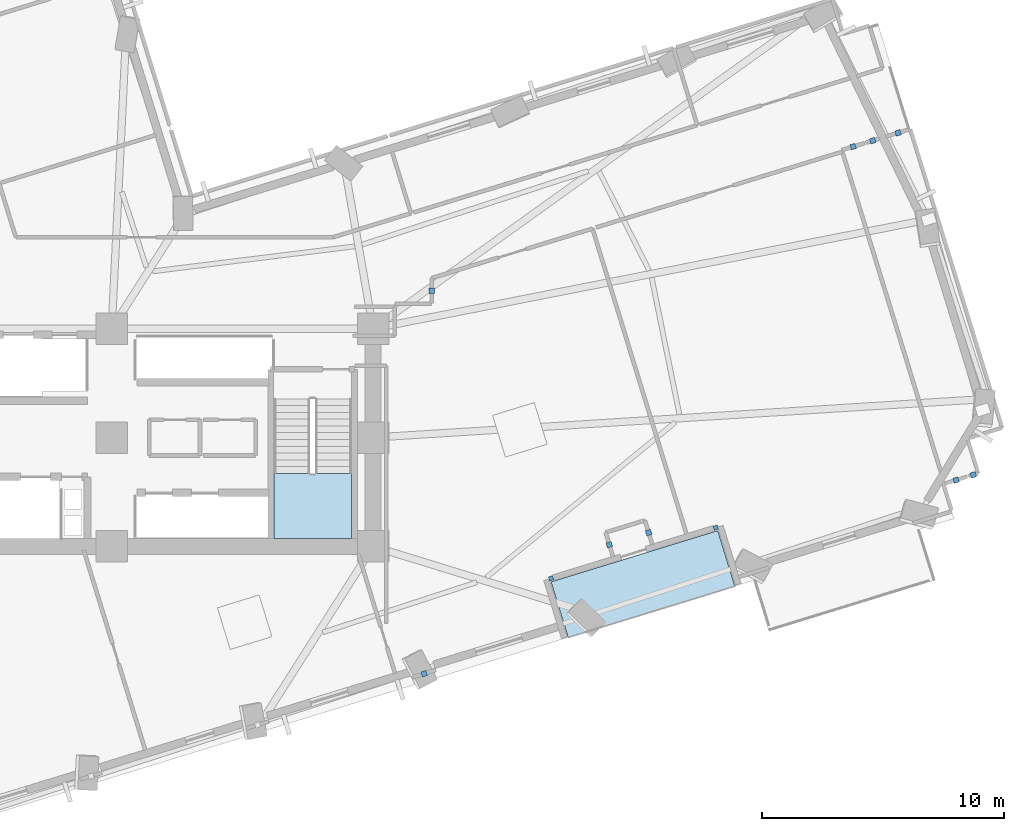
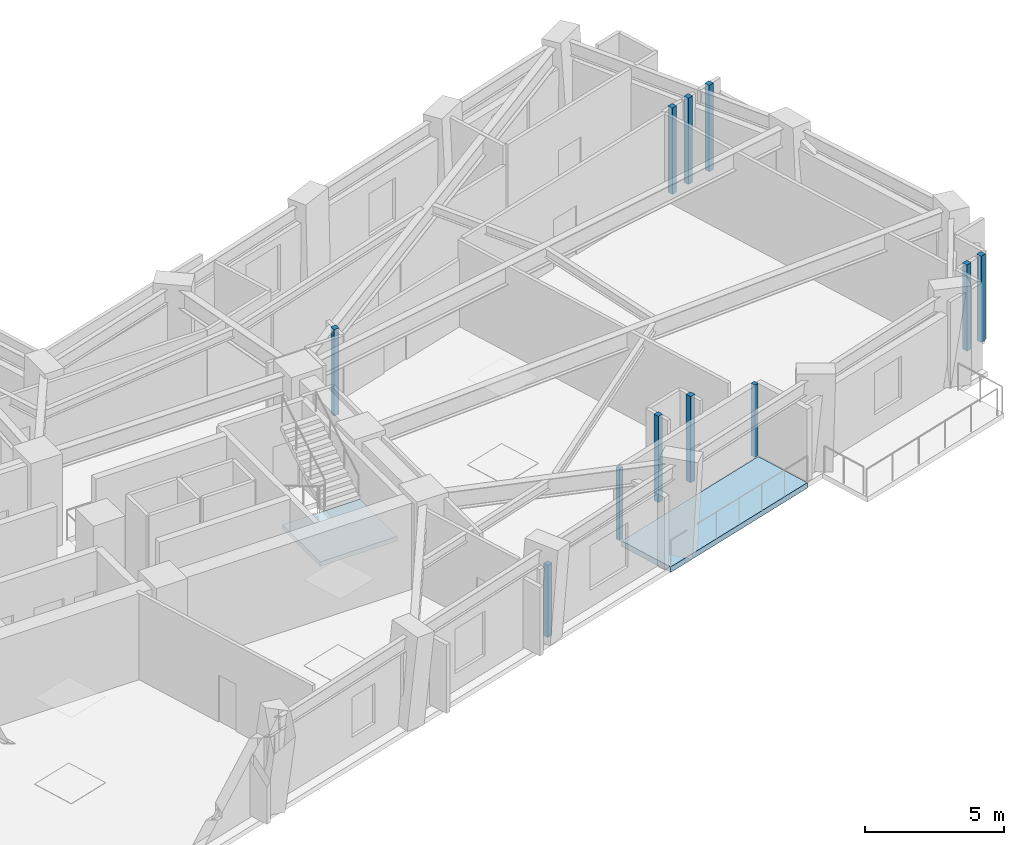
# One storey, part 5 of 14: 11 plates, 2 slabs, 1 element without a shape of its own.
"""IFC4 building model written with IfcOpenShell, lengths in metres."""

from ifc_helpers import new_model, si_unit, direction, frame, origin, origin_2d, place, context, subcontext, project, spatial, polyline, rectangle, outline, extrude, material, layer, layer_set, type_object, element, aggregate, save


model = new_model("IFC4")

# Units and contexts
model_context = context("Model", 3, precision=1e-05, world=origin(), true_north=direction((0.0, 1.0)))
body_context = subcontext(model_context, "Body", "Model", "MODEL_VIEW")
ifc_project = project(units=[si_unit("LENGTHUNIT", "METRE"), si_unit("AREAUNIT", "SQUARE_METRE"), si_unit("VOLUMEUNIT", "CUBIC_METRE"), si_unit("PLANEANGLEUNIT", "RADIAN"), si_unit("MASSUNIT", "GRAM", prefix="KILO")], contexts=[model_context])

# Site, building, storey
site_placement = place(None, origin())
site = spatial("IfcSite", under=ifc_project, at=site_placement, CompositionType="ELEMENT")
building_placement = place(site_placement, origin())
building = spatial("IfcBuilding", under=site, at=building_placement, Name="Gaonmaruhae Medical Tower", CompositionType="ELEMENT")
storey_placement = place(building_placement, frame((0.0, 0.0, 96.39990234375)))
storey = spatial("IfcBuildingStorey", under=building, at=storey_placement, Name="L22", CompositionType="ELEMENT", Elevation=96.39990234375)

# Plates
ifc_material_1 = material(Name="Anodised aluminium 6063-T6", Category="aluminium")
ifc_layer_1 = layer(ifc_material_1, 0.011962890625)
ifc_layer_set_1 = layer_set([ifc_layer_1], Name="Anodised aluminium 6063-T6")
plate_type = type_object("IfcPlateType", Name="PP-01 Interior Partition Corner Stiffener Plate", PredefinedType="SHEET", material=ifc_layer_set_1)
for number, where, z_axis, x_axis, name in (
    (1, (49.759521484375, 8.57421875, 0.0), (0.0, 0.0, 1.0), (-0.955793014798, -0.294040325232, 0.0), "L22 Partition End Jamb Post Plate PLT-L22-ENDP-TERB-0"),
    (2, (42.9541015625, 6.480712890625, 0.0), (0.0, 0.0, 1.0), (-0.955793014798, -0.294040325232, 0.0), "L22 Partition End Jamb Post Plate PLT-L22-ENDP-TERB-1"),
):
    element("IfcPlate", number, at=place(storey_placement, frame(where, z_axis=z_axis, x_axis=x_axis)), inside=storey, type_object=plate_type, Name=name, PredefinedType="SHEET", context=body_context, shape_type="SweptSolid", body=[
        extrude(rectangle(XDim=0.179931640625, YDim=0.179931640625, at=origin_2d()), origin(), (0.0, 0.0, 1.0), 3.1650390625),
    ])
for number, where, z_axis, x_axis, name in (
    (3, (38.030029296875, 18.37060546875, 0.0), (0.0, 0.0, 1.0), (0.0, 1.0, 0.0), "L22 Partition Corner Stiffener Plate PLT-L22-JGP-PW026"),
    (4, (46.986083984375, 8.37255859375, 0.0), (0.0, 0.0, 1.0), (-0.293689989053, 0.955900722005, 0.0), "L22 Partition Corner Stiffener Plate PLT-L22-JGP-PW029"),
    (5, (45.361083984375, 7.87255859375, 0.0), (0.0, 0.0, 1.0), (0.293689989053, -0.955900722005, 0.0), "L22 Partition Corner Stiffener Plate PLT-L22-JGP-PW031"),
):
    element("IfcPlate", number, at=place(storey_placement, frame(where, z_axis=z_axis, x_axis=x_axis)), inside=storey, type_object=plate_type, Name=name, PredefinedType="SHEET", context=body_context, shape_type="SweptSolid", body=[
        extrude(rectangle(XDim=0.219970703125, YDim=0.219970703125, at=origin_2d()), origin(), (0.0, 0.0, 1.0), 3.780029296875),
    ])
plate_placement = place(storey_placement, frame((37.7099609375, 2.54443359375, 0.0), z_axis=(0.0, 0.0, 1.0), x_axis=(-0.955977577105, -0.293439724768, 0.0)))
element("IfcPlate", 6, at=plate_placement, inside=storey, type_object=plate_type, Name="L22 Partition Corner Stiffener Plate PLT-L22-JGP-PW032", PredefinedType="SHEET", context=body_context, shape_type="SweptSolid", body=[
    extrude(rectangle(XDim=0.219970703125, YDim=0.219970703125, at=origin_2d()), origin(), (0.0, 0.0, 1.0), 3.1650390625),
])
for number, where, z_axis, x_axis, name in (
    (7, (55.4365234375, 24.320068359375, 0.0), (0.0, 0.0, 1.0), (0.95586483387, 0.293806772166, 0.0), "L22 Partition Corner Stiffener Plate PLT-L22-JGP-PW089"),
    (8, (59.68603515625, 10.5400390625, 0.0), (0.0, 0.0, 1.0), (-0.955916098267, -0.293639937806, 0.0), "L22 Partition Corner Stiffener Plate PLT-L22-JGP-PW092"),
    (9, (60.403076171875, 10.760498046875, 0.0), (0.0, 0.0, 1.0), (-0.956238394313, -0.292588675862, 0.0), "L22 Partition Corner Stiffener Plate PLT-L22-JGP-PW094"),
    (10, (56.243408203125, 24.5673828125, 0.0), (0.0, 0.0, 1.0), (0.955890469708, 0.293723356104, 0.0), "L22 Partition Corner Stiffener Plate PLT-L22-JGP-PW095"),
    (11, (57.29150390625, 24.890380859375, 0.0), (0.0, 0.0, 1.0), (0.955798146625, 0.294023643452, 0.0), "L22 Partition Corner Stiffener Plate PLT-L22-JGP-PW096"),
):
    element("IfcPlate", number, at=place(storey_placement, frame(where, z_axis=z_axis, x_axis=x_axis)), inside=storey, type_object=plate_type, Name=name, PredefinedType="SHEET", context=body_context, shape_type="SweptSolid", body=[
        extrude(rectangle(XDim=0.219970703125, YDim=0.219970703125, at=origin_2d()), origin(), (0.0, 0.0, 1.0), 3.780029296875),
    ])

# Stair, slab
ifc_material_2 = material(Name="Concrete C40/50", Category="concrete")
stair_type = type_object("IfcStairType", Name="ST-T1 Primary Core Escape Dogleg Stair", PredefinedType="TWO_QUARTER_TURN_STAIR", material=ifc_material_2)
stair_placement = place(storey_placement, origin())
stair = element("IfcStair", 12, at=stair_placement, inside=storey, type_object=stair_type, Name="L22 Protected Escape Stair ST-02", PredefinedType="TWO_QUARTER_TURN_STAIR")
ifc_layer_2 = layer(ifc_material_2, 0.199951171875)
ifc_layer_set_2 = layer_set([ifc_layer_2], Name="Concrete C40/50")
slab_type_1 = type_object("IfcSlabType", Name="SL-200 Stair & Ramp Intermediate Concrete Landing", PredefinedType="LANDING", material=ifc_layer_set_2)
slab_1_placement = place(storey_placement, frame((0.0, 0.0, 1.800048828125)))
slab_1 = element("IfcSlab", 13, at=slab_1_placement, type_object=slab_type_1, Name="ST-02 landing 1", PredefinedType="LANDING", context=body_context, shape_type="SweptSolid", body=[
    extrude(outline(polyline([(31.5, 10.820068359375), (31.5, 8.12890625), (34.699951171875, 8.12890625), (34.699951171875, 10.820068359375), (31.5, 10.820068359375)])), origin(), (0.0, 0.0, 1.0), 0.199951171875),
])
aggregate(stair, [slab_1])

# Slab
ifc_layer_3 = layer(ifc_material_2, 0.239990234375)
ifc_layer_set_3 = layer_set([ifc_layer_3], Name="Concrete C40/50")
slab_type_2 = type_object("IfcSlabType", Name="TS-240 Sky Garden & Recovery Terrace Slab", PredefinedType="FLOOR", material=ifc_layer_set_3)
slab_2_placement = place(storey_placement, frame((0.0, 0.0, -0.239990234375)))
element("IfcSlab", 14, at=slab_2_placement, inside=storey, type_object=slab_type_2, Name="L22 Outdoor Recovery Terrace Slab", PredefinedType="FLOOR", context=body_context, shape_type="SweptSolid", body=[
    extrude(outline(polyline([(43.662841796875, 4.041259765625), (50.54443359375, 6.158203125), (49.8388671875, 8.4521484375), (42.95703125, 6.3349609375), (43.662841796875, 4.041259765625)])), origin(), (0.0, 0.0, 1.0), 0.239990234375),
])

save(model, "model.ifc")
